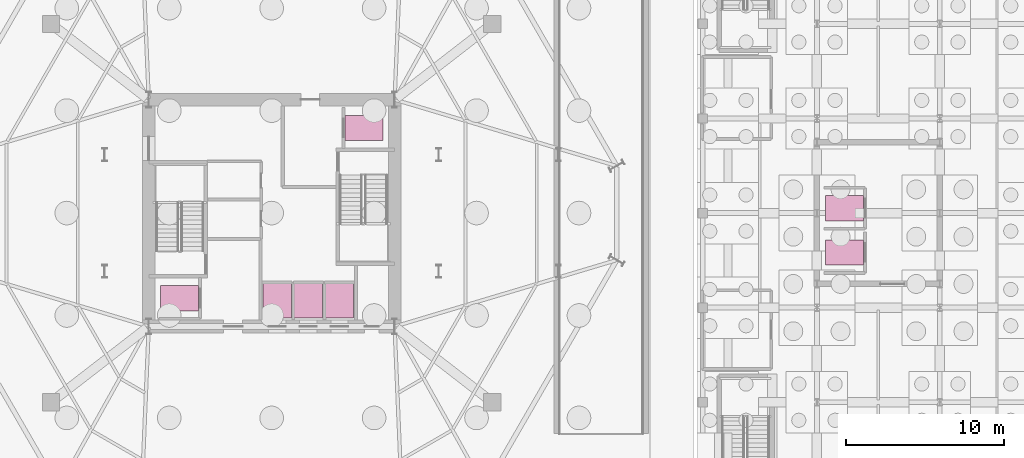
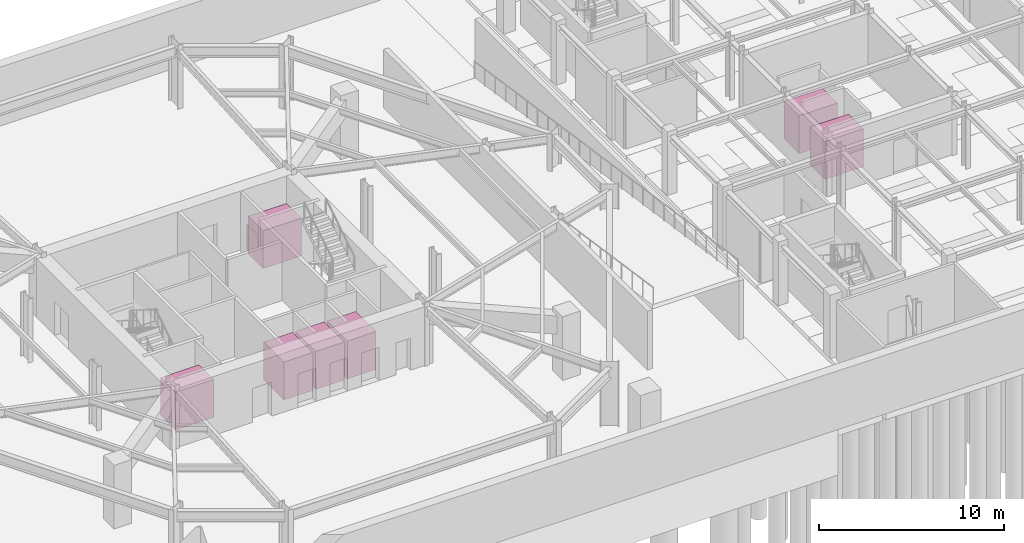
# One storey, part 18 of 18: 7 transport elements.
"""IFC4 building model written with IfcOpenShell, lengths in metres."""

from ifc_helpers import new_model, si_unit, direction, frame, origin, origin_2d, place, context, subcontext, project, spatial, rectangle, extrude, material, type_object, element, save


model = new_model("IFC4")

# Units and contexts
model_context = context("Model", 3, precision=1e-05, world=origin(), true_north=direction((0.0, 1.0)))
body_context = subcontext(model_context, "Body", "Model", "MODEL_VIEW")
ifc_project = project(units=[si_unit("LENGTHUNIT", "METRE"), si_unit("AREAUNIT", "SQUARE_METRE"), si_unit("VOLUMEUNIT", "CUBIC_METRE"), si_unit("PLANEANGLEUNIT", "RADIAN"), si_unit("MASSUNIT", "GRAM", prefix="KILO")], contexts=[model_context])

# Site, building, storey
site_placement = place(None, origin())
site = spatial("IfcSite", under=ifc_project, at=site_placement, CompositionType="ELEMENT")
building_placement = place(site_placement, origin())
building = spatial("IfcBuilding", under=site, at=building_placement, Name="Kranzbogen Civic Tower", CompositionType="ELEMENT")
storey_placement = place(building_placement, frame((0.0, 0.0, -8.39990234375)))
storey = spatial("IfcBuildingStorey", under=building, at=storey_placement, Name="B02", CompositionType="ELEMENT", Elevation=-8.39990234375)

# Transport elements
ifc_material = material(Name="Pale Anodised Aluminium", Category="aluminium")
transport_element_type_1 = type_object("IfcTransportElementType", Name="Firefighting and Stretcher Lift Car 1600x2400", PredefinedType="ELEVATOR", material=ifc_material)
for number, where, z_axis, x_axis, name in (
    (1, (19.14990234375, 19.60009765625, 0.0498046875), (0.0, 0.0, 1.0), (1.0, 0.0, 0.0), "Elevator FF-01"),
    (2, (30.85009765625, 30.39990234375, 0.0498046875), (0.0, 0.0, 1.0), (1.0, 0.0, 0.0), "Elevator FF-02"),
    (3, (61.35009765625, 22.5, 0.0498046875), (0.0, 0.0, 1.0), (1.0, 0.0, 0.0), "Elevator HC-L1"),
    (4, (61.35009765625, 25.300048828125, 0.0498046875), (0.0, 0.0, 1.0), (1.0, 0.0, 0.0), "Elevator HC-L2"),
):
    element("IfcTransportElement", number, at=place(storey_placement, frame(where, z_axis=z_axis, x_axis=x_axis)), inside=storey, type_object=transport_element_type_1, Name=name, PredefinedType="ELEVATOR", context=body_context, shape_type="SweptSolid", body=[
        extrude(rectangle(XDim=2.39990234375, YDim=1.60009765625, at=origin_2d()), origin(), (0.0, 0.0, 1.0), 2.5),
    ])
transport_element_type_2 = type_object("IfcTransportElementType", Name="High-Speed Passenger Lift Car 1800x2200", PredefinedType="ELEVATOR", material=ifc_material)
for number, where, z_axis, x_axis, name in (
    (5, (25.35009765625, 19.425048828125, 0.0498046875), (0.0, 0.0, 1.0), (1.0, 0.0, 0.0), "Elevator LP-01"),
    (6, (27.324951171875, 19.425048828125, 0.0498046875), (0.0, 0.0, 1.0), (1.0, 0.0, 0.0), "Elevator LP-02"),
    (7, (29.300048828125, 19.425048828125, 0.0498046875), (0.0, 0.0, 1.0), (1.0, 0.0, 0.0), "Elevator LP-03"),
):
    element("IfcTransportElement", number, at=place(storey_placement, frame(where, z_axis=z_axis, x_axis=x_axis)), inside=storey, type_object=transport_element_type_2, Name=name, PredefinedType="ELEVATOR", context=body_context, shape_type="SweptSolid", body=[
        extrude(rectangle(XDim=1.800048828125, YDim=2.199951171875, at=origin_2d()), origin(), (0.0, 0.0, 1.0), 2.5),
    ])

save(model, "model.ifc")
